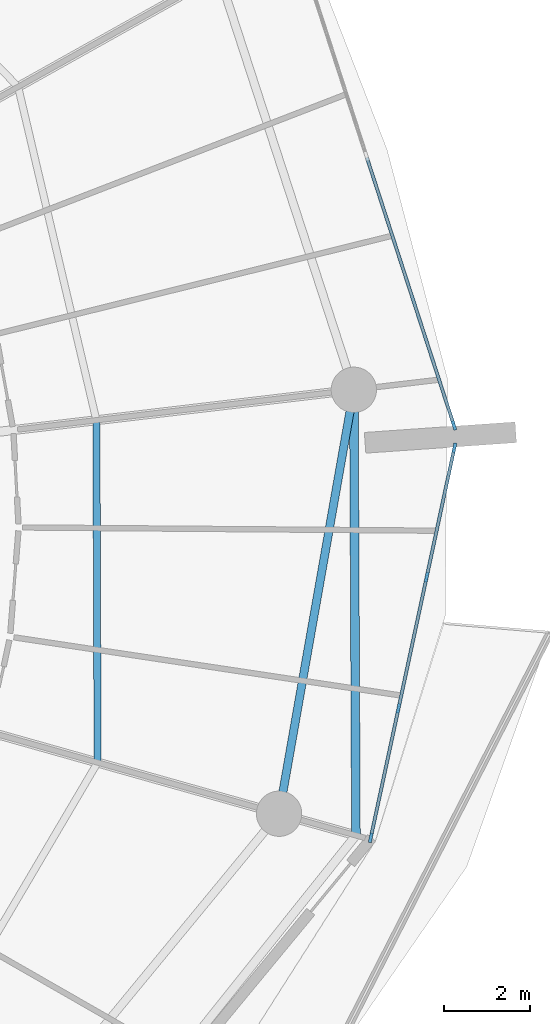
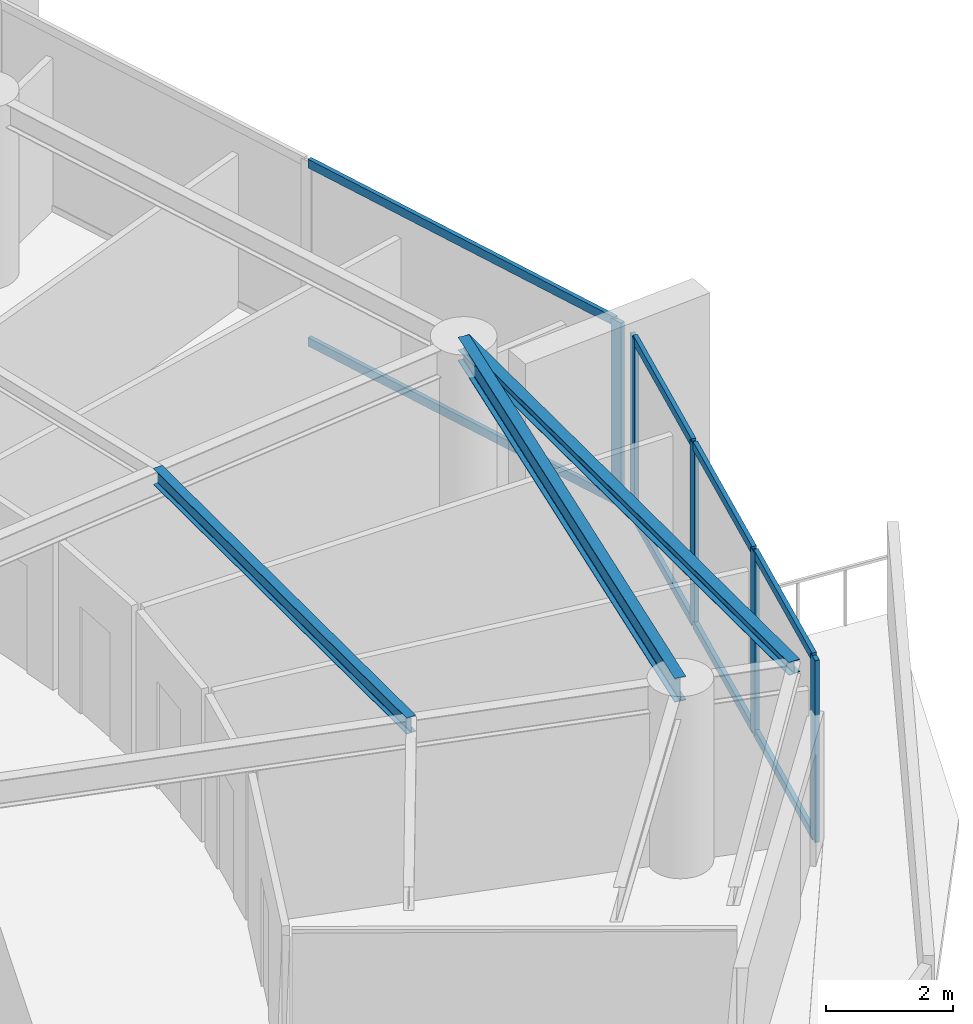
# One storey, part 7 of 21: 13 members, 3 beams, 2 elements without a shape of their own.
"""IFC4 building model written with IfcOpenShell, lengths in metres."""

from ifc_helpers import new_model, si_unit, direction, frame, origin, origin_2d, place, context, subcontext, project, spatial, rectangle, i_section, extrude, material, layer, layer_set, material_profile, profile_set, type_object, element, aggregate, save


model = new_model("IFC4")

# Units and contexts
model_context = context("Model", 3, precision=1e-05, world=origin(), true_north=direction((0.0, 1.0)))
body_context = subcontext(model_context, "Body", "Model", "MODEL_VIEW")
ifc_project = project(units=[si_unit("LENGTHUNIT", "METRE"), si_unit("AREAUNIT", "SQUARE_METRE"), si_unit("VOLUMEUNIT", "CUBIC_METRE"), si_unit("PLANEANGLEUNIT", "RADIAN"), si_unit("MASSUNIT", "GRAM", prefix="KILO")], contexts=[model_context])

# Site, building, storey
site_placement = place(None, origin())
site = spatial("IfcSite", under=ifc_project, at=site_placement, CompositionType="ELEMENT")
building_placement = place(site_placement, origin())
building = spatial("IfcBuilding", under=site, at=building_placement, Name="Kazma Halo Residences", CompositionType="ELEMENT")
storey_placement = place(building_placement, frame((0.0, 0.0, 176.550048828125)))
storey = spatial("IfcBuildingStorey", under=building, at=storey_placement, Name="L44", CompositionType="ELEMENT", Elevation=176.550048828125)

# Beams
ifc_material_1 = material(Name="Steel S355", Category="steel")
ifc_material_profile_1 = material_profile(ifc_material_1, i_section(OverallWidth=0.201904296875, OverallDepth=0.2470703125, WebThickness=0.00732421875, FlangeThickness=0.010986328125, FilletRadius=0.011962890625, at=origin_2d()), Name="W250x49.1")
ifc_profile_set_1 = profile_set([ifc_material_profile_1], Name="Steel S355")
beam_type_1 = type_object("IfcBeamType", Name="BM-BAL-CANT", PredefinedType="BEAM", material=ifc_profile_set_1)
beam_1_placement = place(storey_placement, frame((73.80029296875, 34.723388671875, 3.37646484375), z_axis=(-0.004705663334, 0.999988928305, 0.0), x_axis=(-0.999988928305, -0.004705663334, 0.0)))
element("IfcBeam", 1, at=beam_1_placement, inside=storey, type_object=beam_type_1, Name="L44 wave-balcony tie beam 15", PredefinedType="BEAM", context=body_context, shape_type="SweptSolid", body=[
    extrude(i_section(OverallWidth=0.201904296875, OverallDepth=0.2470703125, WebThickness=0.00732421875, FlangeThickness=0.010986328125, FilletRadius=0.011962890625, at=origin_2d()), origin(), (0.0, 0.0, 1.0), 10.324462890625),
])
ifc_material_profile_2 = material_profile(ifc_material_1, i_section(OverallWidth=0.1650390625, OverallDepth=0.31005859375, WebThickness=0.005859375, FlangeThickness=0.009765625, FilletRadius=0.011962890625, at=origin_2d()), Name="W310x38.7")
ifc_profile_set_2 = profile_set([ifc_material_profile_2], Name="Steel S355")
beam_type_2 = type_object("IfcBeamType", Name="BM-SEC-W310B", PredefinedType="JOIST", material=ifc_profile_set_2)
beam_2_placement = place(storey_placement, frame((67.815185546875, 36.41162109375, 3.344970703125), z_axis=(-0.003540400199, 0.999993732764, 0.0), x_axis=(-0.999993732764, -0.003540400199, 0.0)))
element("IfcBeam", 2, at=beam_2_placement, inside=storey, type_object=beam_type_2, Name="L44 circumferential floor joist 15", PredefinedType="JOIST", context=body_context, shape_type="SweptSolid", body=[
    extrude(i_section(OverallWidth=0.1650390625, OverallDepth=0.31005859375, WebThickness=0.005859375, FlangeThickness=0.009765625, FilletRadius=0.011962890625, at=origin_2d()), origin(), (0.0, 0.0, 1.0), 7.93017578125),
])
ifc_material_profile_3 = material_profile(ifc_material_1, i_section(OverallWidth=0.18994140625, OverallDepth=0.45703125, WebThickness=0.009033203125, FlangeThickness=0.014404296875, FilletRadius=0.01611328125, at=origin_2d()), Name="W460x74")
ifc_profile_set_3 = profile_set([ifc_material_profile_3], Name="Steel S355")
beam_type_3 = type_object("IfcBeamType", Name="BM-SPN-W460", PredefinedType="BEAM", material=ifc_profile_set_3)
beam_3_placement = place(storey_placement, frame((72.019775390625, 35.2255859375, 3.271484375), z_axis=(0.173648484202, 0.984807698962, 0.0), x_axis=(-0.984807698962, 0.173648484202, 0.0)))
element("IfcBeam", 3, at=beam_3_placement, inside=storey, type_object=beam_type_3, Name="L44 perimeter ring beam 15", PredefinedType="BEAM", context=body_context, shape_type="SweptSolid", body=[
    extrude(i_section(OverallWidth=0.18994140625, OverallDepth=0.45703125, WebThickness=0.009033203125, FlangeThickness=0.014404296875, FilletRadius=0.01611328125, at=origin_2d()), origin(), (0.0, 0.0, 1.0), 9.973876953125),
])

# Curtain wall, members
ifc_material_2 = material(Name="Aluminium AW-6063 T6 and Triple-Silver Low-E Glass", Category="aluminium")
ifc_layer = layer(ifc_material_2, 0.219970703125)
ifc_layer_set = layer_set([ifc_layer], Name="Aluminium AW-6063 T6 and Triple-Silver Low-E Glass")
curtain_wall_type = type_object("IfcCurtainWallType", Name="CW-SYS-4", PredefinedType="NOTDEFINED", material=ifc_layer_set)
curtain_wall_1_placement = place(storey_placement, origin())
curtain_wall_1 = element("IfcCurtainWall", 4, at=curtain_wall_1_placement, inside=storey, type_object=curtain_wall_type, Name="L44 unitised curtain wall B15", PredefinedType="NOTDEFINED")
ifc_material_3 = material(Name="Aluminium AW-6063 T6", Category="aluminium")
ifc_material_profile_4 = material_profile(ifc_material_3, rectangle(XDim=0.074951171875, YDim=0.219970703125, at=origin_2d()), Name="CWM-75x220")
ifc_profile_set_4 = profile_set([ifc_material_profile_4], Name="Aluminium AW-6063 T6")
member_type_1 = type_object("IfcMemberType", Name="CW-SYS-4-MUL", PredefinedType="MULLION", material=ifc_profile_set_4)
member_1_placement = place(storey_placement, frame((74.1435546875, 34.665771484375, 0.0), z_axis=(0.0, 0.0, 1.0), x_axis=(-0.977768017212, 0.209689543175, 0.0)))
member_1 = element("IfcMember", 5, at=member_1_placement, type_object=member_type_1, Name="CWS-4 mullion 1", PredefinedType="MULLION", context=body_context, shape_type="SweptSolid", body=[
    extrude(rectangle(XDim=0.074951171875, YDim=0.219970703125, at=origin_2d()), origin(), (0.0, 0.0, 1.0), 3.5),
])
member_2_placement = place(storey_placement, frame((74.787109375, 37.6669921875, 0.0), z_axis=(0.0, 0.0, 1.0), x_axis=(-0.977768017212, 0.209689543175, 0.0)))
member_2 = element("IfcMember", 6, at=member_2_placement, type_object=member_type_1, Name="CWS-4 mullion 2", PredefinedType="MULLION", context=body_context, shape_type="SweptSolid", body=[
    extrude(rectangle(XDim=0.074951171875, YDim=0.219970703125, at=origin_2d()), origin(), (0.0, 0.0, 1.0), 3.5),
])
member_3_placement = place(storey_placement, frame((75.438720703125, 40.704833984375, 0.0), z_axis=(0.0, 0.0, 1.0), x_axis=(-0.977768017212, 0.209689543175, 0.0)))
member_3 = element("IfcMember", 7, at=member_3_placement, type_object=member_type_1, Name="CWS-4 mullion 3", PredefinedType="MULLION", context=body_context, shape_type="SweptSolid", body=[
    extrude(rectangle(XDim=0.074951171875, YDim=0.219970703125, at=origin_2d()), origin(), (0.0, 0.0, 1.0), 3.5),
])
member_4_placement = place(storey_placement, frame((76.082275390625, 43.7060546875, 0.0), z_axis=(0.0, 0.0, 1.0), x_axis=(-0.977768017212, 0.209689543175, 0.0)))
member_4 = element("IfcMember", 8, at=member_4_placement, type_object=member_type_1, Name="CWS-4 mullion 4", PredefinedType="MULLION", context=body_context, shape_type="SweptSolid", body=[
    extrude(rectangle(XDim=0.074951171875, YDim=0.219970703125, at=origin_2d()), origin(), (0.0, 0.0, 1.0), 3.5),
])

# Curtain wall, member
curtain_wall_2_placement = place(storey_placement, origin())
curtain_wall_2 = element("IfcCurtainWall", 9, at=curtain_wall_2_placement, inside=storey, type_object=curtain_wall_type, Name="L44 unitised curtain wall B16", PredefinedType="NOTDEFINED")
member_5_placement = place(storey_placement, frame((76.0712890625, 44.22119140625, 0.0), z_axis=(0.0, 0.0, 1.0), x_axis=(-0.951056893636, -0.309015833038, 0.0)))
member_5 = element("IfcMember", 10, at=member_5_placement, type_object=member_type_1, Name="CWS-4 mullion 1", PredefinedType="MULLION", context=body_context, shape_type="SweptSolid", body=[
    extrude(rectangle(XDim=0.074951171875, YDim=0.219970703125, at=origin_2d()), origin(), (0.0, 0.0, 1.0), 3.5),
])

# Member
ifc_material_profile_5 = material_profile(ifc_material_3, rectangle(XDim=0.074951171875, YDim=0.1650390625, at=origin_2d()), Name="CWT-75x165")
ifc_profile_set_5 = profile_set([ifc_material_profile_5], Name="Aluminium AW-6063 T6")
member_type_2 = type_object("IfcMemberType", Name="CW-SYS-4-TRN", PredefinedType="USERDEFINED", material=ifc_profile_set_5)
member_6_placement = place(storey_placement, frame((74.1513671875, 34.702392578125, 0.037353515625), z_axis=(0.209707268418, 0.977764215735, 0.0), x_axis=(-0.977764215735, 0.209707268418, 0.0)))
member_6 = element("IfcMember", 11, at=member_6_placement, type_object=member_type_2, Name="CWS-4 transom 1.1", ObjectType="TRANSOM", PredefinedType="USERDEFINED", context=body_context, shape_type="SweptSolid", body=[
    extrude(rectangle(XDim=0.074951171875, YDim=0.1650390625, at=origin_2d()), origin(), (0.0, 0.0, 1.0), 2.994384765625),
])

member_7_placement = place(storey_placement, frame((74.1513671875, 34.702392578125, 3.46240234375), z_axis=(0.209707268418, 0.977764215735, 0.0), x_axis=(-0.977764215735, 0.209707268418, 0.0)))
member_7 = element("IfcMember", 12, at=member_7_placement, type_object=member_type_2, Name="CWS-4 transom 1.2", ObjectType="TRANSOM", PredefinedType="USERDEFINED", context=body_context, shape_type="SweptSolid", body=[
    extrude(rectangle(XDim=0.074951171875, YDim=0.1650390625, at=origin_2d()), origin(), (0.0, 0.0, 1.0), 2.994384765625),
])

member_8_placement = place(storey_placement, frame((74.794921875, 37.70361328125, 0.037353515625), z_axis=(0.209677559804, 0.977770587057, 0.0), x_axis=(-0.977770587057, 0.209677559804, 0.0)))
member_8 = element("IfcMember", 13, at=member_8_placement, type_object=member_type_2, Name="CWS-4 transom 2.1", ObjectType="TRANSOM", PredefinedType="USERDEFINED", context=body_context, shape_type="SweptSolid", body=[
    extrude(rectangle(XDim=0.074951171875, YDim=0.1650390625, at=origin_2d()), origin(), (0.0, 0.0, 1.0), 3.031982421875),
])

member_9_placement = place(storey_placement, frame((74.794921875, 37.70361328125, 3.46240234375), z_axis=(0.209677559804, 0.977770587057, 0.0), x_axis=(-0.977770587057, 0.209677559804, 0.0)))
member_9 = element("IfcMember", 14, at=member_9_placement, type_object=member_type_2, Name="CWS-4 transom 2.2", ObjectType="TRANSOM", PredefinedType="USERDEFINED", context=body_context, shape_type="SweptSolid", body=[
    extrude(rectangle(XDim=0.074951171875, YDim=0.1650390625, at=origin_2d()), origin(), (0.0, 0.0, 1.0), 3.031982421875),
])

member_10_placement = place(storey_placement, frame((75.446533203125, 40.741455078125, 0.037353515625), z_axis=(0.209690551496, 0.97776780097, 0.0), x_axis=(-0.97776780097, 0.209690551496, 0.0)))
member_10 = element("IfcMember", 15, at=member_10_placement, type_object=member_type_2, Name="CWS-4 transom 3.1", ObjectType="TRANSOM", PredefinedType="USERDEFINED", context=body_context, shape_type="SweptSolid", body=[
    extrude(rectangle(XDim=0.074951171875, YDim=0.1650390625, at=origin_2d()), origin(), (0.0, 0.0, 1.0), 2.99462890625),
])

member_11_placement = place(storey_placement, frame((75.446533203125, 40.741455078125, 3.46240234375), z_axis=(0.209690551496, 0.97776780097, 0.0), x_axis=(-0.97776780097, 0.209690551496, 0.0)))
member_11 = element("IfcMember", 16, at=member_11_placement, type_object=member_type_2, Name="CWS-4 transom 3.2", ObjectType="TRANSOM", PredefinedType="USERDEFINED", context=body_context, shape_type="SweptSolid", body=[
    extrude(rectangle(XDim=0.074951171875, YDim=0.1650390625, at=origin_2d()), origin(), (0.0, 0.0, 1.0), 2.99462890625),
])

aggregate(curtain_wall_1, [member_1, member_2, member_3, member_4, member_6, member_7, member_8, member_9, member_10, member_11])

member_12_placement = place(storey_placement, frame((76.0595703125, 44.2568359375, 0.037353515625), z_axis=(-0.30902650142, 0.951053427217, 0.0), x_axis=(-0.951053427217, -0.30902650142, 0.0)))
member_12 = element("IfcMember", 17, at=member_12_placement, type_object=member_type_2, Name="CWS-4 transom 1.1", ObjectType="TRANSOM", PredefinedType="USERDEFINED", context=body_context, shape_type="SweptSolid", body=[
    extrude(rectangle(XDim=0.074951171875, YDim=0.1650390625, at=origin_2d()), origin(), (0.0, 0.0, 1.0), 6.487060546875),
])

member_13_placement = place(storey_placement, frame((76.0595703125, 44.2568359375, 3.46240234375), z_axis=(-0.30902650142, 0.951053427217, 0.0), x_axis=(-0.951053427217, -0.30902650142, 0.0)))
member_13 = element("IfcMember", 18, at=member_13_placement, type_object=member_type_2, Name="CWS-4 transom 1.2", ObjectType="TRANSOM", PredefinedType="USERDEFINED", context=body_context, shape_type="SweptSolid", body=[
    extrude(rectangle(XDim=0.074951171875, YDim=0.1650390625, at=origin_2d()), origin(), (0.0, 0.0, 1.0), 6.487060546875),
])

aggregate(curtain_wall_2, [member_5, member_12, member_13])

save(model, "model.ifc")
